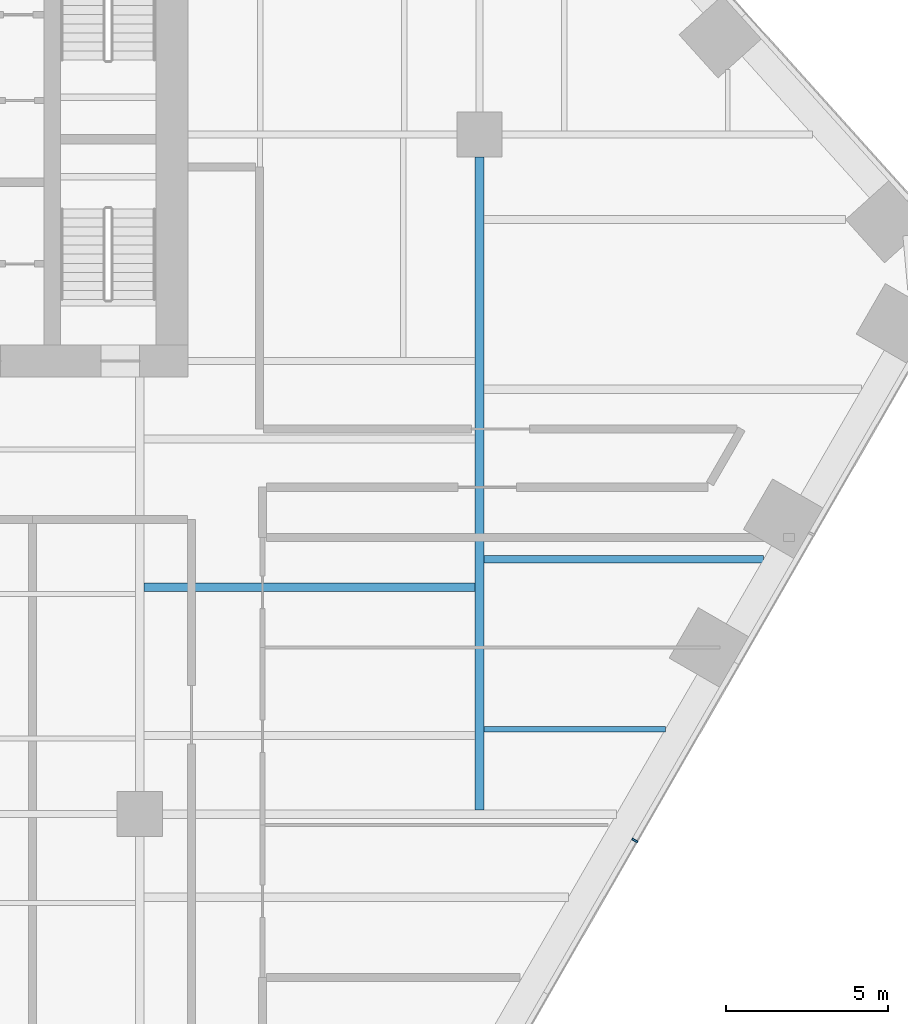
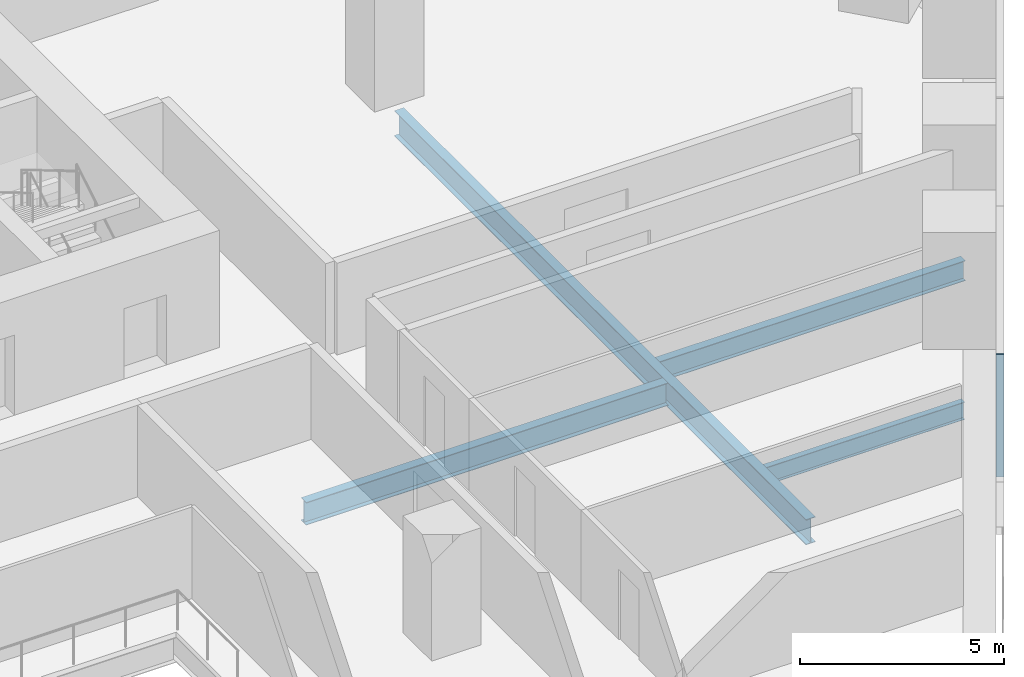
# One storey, part 7 of 20: 4 beams, 1 member, 1 element without a shape of its own.
"""IFC4 building model written with IfcOpenShell, lengths in metres."""

from ifc_helpers import new_model, si_unit, direction, frame, origin, origin_2d, place, context, subcontext, project, spatial, rectangle, i_section, extrude, material, layer, layer_set, material_profile, profile_set, type_object, element, aggregate, save


model = new_model("IFC4")

# Units and contexts
model_context = context("Model", 3, precision=1e-05, world=origin(), true_north=direction((0.0, 1.0)))
body_context = subcontext(model_context, "Body", "Model", "MODEL_VIEW")
ifc_project = project(units=[si_unit("LENGTHUNIT", "METRE"), si_unit("AREAUNIT", "SQUARE_METRE"), si_unit("VOLUMEUNIT", "CUBIC_METRE"), si_unit("PLANEANGLEUNIT", "RADIAN"), si_unit("MASSUNIT", "GRAM", prefix="KILO")], contexts=[model_context])

# Site, building, storey
site_placement = place(None, origin())
site = spatial("IfcSite", under=ifc_project, at=site_placement, CompositionType="ELEMENT")
building_placement = place(site_placement, origin())
building = spatial("IfcBuilding", under=site, at=building_placement, Name="Isthmus Gate Tower", CompositionType="ELEMENT")
storey_placement = place(building_placement, frame((0.0, 0.0, 61.550048828125)))
storey = spatial("IfcBuildingStorey", under=building, at=storey_placement, Name="L13", CompositionType="ELEMENT", Elevation=61.550048828125)

# Curtain wall, member
ifc_material_1 = material(Name="Aluminium, pale champagne anodised", Category="aluminium")
ifc_layer = layer(ifc_material_1, 0.199951171875)
ifc_layer_set = layer_set([ifc_layer], Name="CW-1 UNITISED CURTAIN WALL 200 DEEP")
curtain_wall_type = type_object("IfcCurtainWallType", Name="CW-1 UNITISED CURTAIN WALL 200 DEEP", PredefinedType="NOTDEFINED", material=ifc_layer_set)
curtain_wall_placement = place(storey_placement, origin())
curtain_wall = element("IfcCurtainWall", 1, at=curtain_wall_placement, inside=storey, type_object=curtain_wall_type, Name="CW-1 SE L13", PredefinedType="NOTDEFINED")
ifc_material_2 = material(Name="Aluminium, pale champagne anodised", Category="aluminium")
ifc_material_profile_1 = material_profile(ifc_material_2, rectangle(XDim=0.06005859375, YDim=0.199951171875, at=origin_2d()), Name="60x200")
ifc_profile_set_1 = profile_set([ifc_material_profile_1], Name="Aluminium, pale champagne anodised")
member_type = type_object("IfcMemberType", Name="CW-1 MULLION 60 X 200", PredefinedType="MULLION", material=ifc_profile_set_1)
member_placement = place(storey_placement, frame((28.802001953125, -14.3134765625, 0.0), z_axis=(0.0, 0.0, 1.0), x_axis=(0.5, 0.866025403784, 0.0)))
member = element("IfcMember", 2, at=member_placement, type_object=member_type, Name="CW-1 mullion", PredefinedType="MULLION", context=body_context, shape_type="SweptSolid", body=[
    extrude(rectangle(XDim=0.06005859375, YDim=0.199951171875, at=origin_2d()), origin(), (0.0, 0.0, 1.0), 3.64990234375),
])
aggregate(curtain_wall, [member])

# Beams
ifc_material_3 = material(Name="Structural steel ASTM A992 Gr 50", Category="steel")
ifc_material_profile_2 = material_profile(ifc_material_3, i_section(OverallWidth=0.1650390625, OverallDepth=0.52392578125, WebThickness=0.009521484375, FlangeThickness=0.010986328125, at=origin_2d()), Name="W21X44")
ifc_profile_set_2 = profile_set([ifc_material_profile_2], Name="Structural steel ASTM A992 Gr 50")
beam_type_1 = type_object("IfcBeamType", Name="STEEL FLOOR BEAM W21X44", PredefinedType="JOIST", material=ifc_profile_set_2)
beam_1_placement = place(storey_placement, frame((24.13330078125, -10.875, -0.412109375), z_axis=(1.0, 0.0, 0.0), x_axis=(0.0, 1.0, 0.0)))
element("IfcBeam", 3, at=beam_1_placement, inside=storey, type_object=beam_type_1, Name="str-beam-L13-34-00", PredefinedType="JOIST", context=body_context, shape_type="SweptSolid", body=[
    extrude(i_section(OverallWidth=0.1650390625, OverallDepth=0.52392578125, WebThickness=0.009521484375, FlangeThickness=0.010986328125, at=origin_2d()), origin(), (0.0, 0.0, 1.0), 5.61474609375),
])
ifc_material_4 = material(Name="Structural steel ASTM A992 Gr 50", Category="steel")
ifc_material_profile_3 = material_profile(ifc_material_4, i_section(OverallWidth=0.228515625, OverallDepth=0.603271484375, WebThickness=0.010986328125, FlangeThickness=0.014404296875, at=origin_2d()), Name="W24X68")
ifc_profile_set_3 = profile_set([ifc_material_profile_3], Name="Structural steel ASTM A992 Gr 50")
beam_type_2 = type_object("IfcBeamType", Name="STEEL FLOOR BEAM W24X68", PredefinedType="JOIST", material=ifc_profile_set_3)
beam_2_placement = place(storey_placement, frame((24.13330078125, -5.625, -0.45166015625), z_axis=(1.0, 0.0, 0.0), x_axis=(0.0, 1.0, 0.0)))
element("IfcBeam", 4, at=beam_2_placement, inside=storey, type_object=beam_type_2, Name="str-beam-L13-34-01", PredefinedType="JOIST", context=body_context, shape_type="SweptSolid", body=[
    extrude(i_section(OverallWidth=0.228515625, OverallDepth=0.603271484375, WebThickness=0.010986328125, FlangeThickness=0.014404296875, at=origin_2d()), origin(), (0.0, 0.0, 1.0), 8.645751953125),
])
ifc_material_5 = material(Name="Structural steel ASTM A992 Gr 50", Category="steel")
ifc_material_profile_4 = material_profile(ifc_material_5, i_section(OverallWidth=0.25390625, OverallDepth=0.679443359375, WebThickness=0.010986328125, FlangeThickness=0.015869140625, at=origin_2d()), Name="W27X84")
ifc_profile_set_4 = profile_set([ifc_material_profile_4], Name="Structural steel ASTM A992 Gr 50")
beam_type_3 = type_object("IfcBeamType", Name="STEEL FLOOR BEAM W27X84", PredefinedType="JOIST", material=ifc_profile_set_4)
beam_3_placement = place(storey_placement, frame((13.6318359375, -6.490478515625, -0.48974609375), z_axis=(1.0, 0.0, 0.0), x_axis=(0.0, 1.0, 0.0)))
element("IfcBeam", 5, at=beam_3_placement, inside=storey, type_object=beam_type_3, Name="str-beam-L13-27-01", PredefinedType="JOIST", context=body_context, shape_type="SweptSolid", body=[
    extrude(i_section(OverallWidth=0.25390625, OverallDepth=0.679443359375, WebThickness=0.010986328125, FlangeThickness=0.015869140625, at=origin_2d()), origin(), (0.0, 0.0, 1.0), 10.23486328125),
])
ifc_material_6 = material(Name="Structural steel ASTM A992 Gr 50", Category="steel")
ifc_material_profile_5 = material_profile(ifc_material_6, i_section(OverallWidth=0.2666015625, OverallDepth=0.7587890625, WebThickness=0.014404296875, FlangeThickness=0.01904296875, at=origin_2d()), Name="W30X108")
ifc_profile_set_5 = profile_set([ifc_material_profile_5], Name="Structural steel ASTM A992 Gr 50")
beam_type_4 = type_object("IfcBeamType", Name="STEEL GIRDER W30X108", PredefinedType="BEAM", material=ifc_profile_set_5)
beam_4_placement = place(storey_placement, frame((24.0, -13.36669921875, -0.529541015625), z_axis=(0.0, 1.0, 0.0), x_axis=(-1.0, 0.0, 0.0)))
element("IfcBeam", 6, at=beam_4_placement, inside=storey, type_object=beam_type_4, Name="str-girder-L13-35", PredefinedType="BEAM", context=body_context, shape_type="SweptSolid", body=[
    extrude(i_section(OverallWidth=0.2666015625, OverallDepth=0.7587890625, WebThickness=0.014404296875, FlangeThickness=0.01904296875, at=origin_2d()), origin(), (0.0, 0.0, 1.0), 20.166748046875),
])

save(model, "model.ifc")
